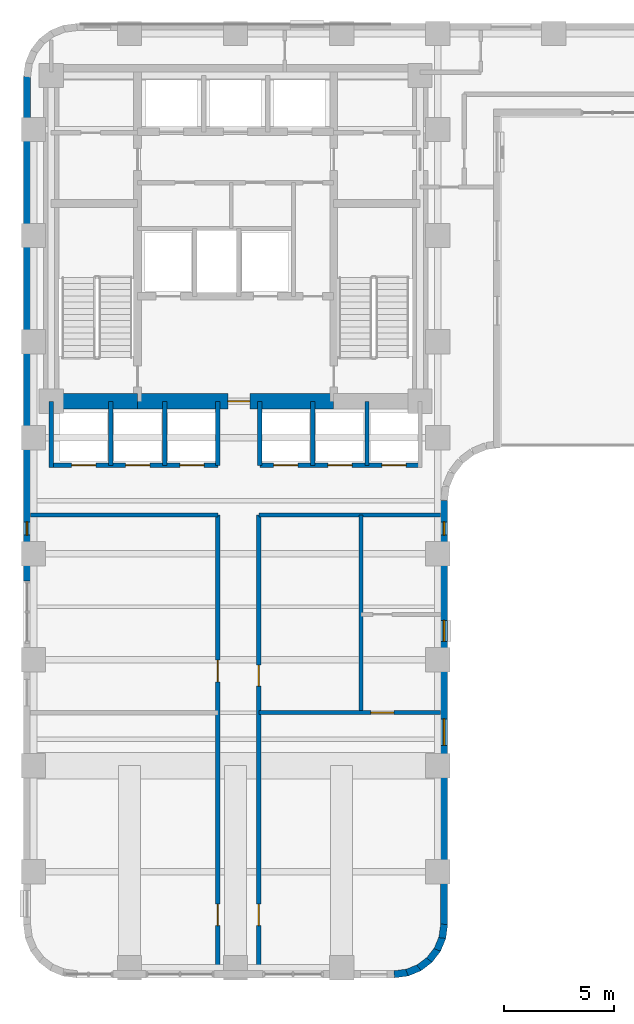
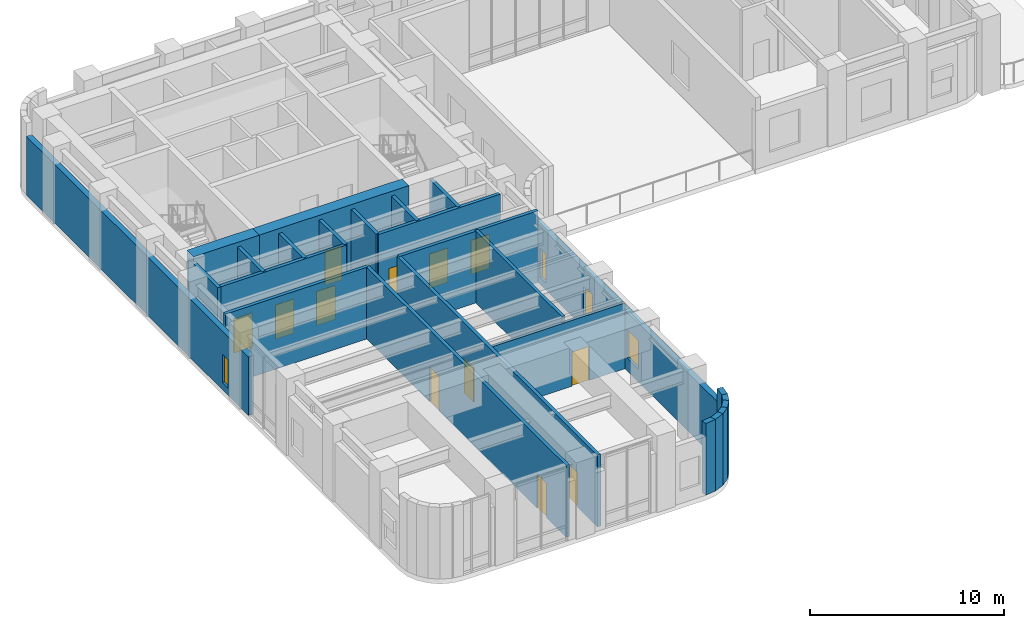
# One storey, part 6 of 12: 25 walls, 12 doors, 4 windows, 16 openings.
"""IFC4 building model written with IfcOpenShell, lengths in metres."""

from ifc_helpers import new_model, si_unit, direction, frame, frame_2d, origin, place, context, subcontext, project, spatial, rectangle, extrude, material, layer, layer_set, type_object, element, fill, save


model = new_model("IFC4")

# Units and contexts
model_context = context("Model", 3, precision=1e-05, world=origin(), true_north=direction((0.0, 1.0)))
body_context = subcontext(model_context, "Body", "Model", "MODEL_VIEW")
ifc_project = project(units=[si_unit("LENGTHUNIT", "METRE"), si_unit("AREAUNIT", "SQUARE_METRE"), si_unit("VOLUMEUNIT", "CUBIC_METRE"), si_unit("PLANEANGLEUNIT", "RADIAN"), si_unit("MASSUNIT", "GRAM", prefix="KILO")], contexts=[model_context])

# Site, building, storey
site_placement = place(None, origin())
site = spatial("IfcSite", under=ifc_project, at=site_placement, CompositionType="ELEMENT")
building_placement = place(site_placement, origin())
building = spatial("IfcBuilding", under=site, at=building_placement, Name="Orvandelia Arch Residences", CompositionType="ELEMENT")
storey_placement = place(building_placement, frame((0.0, 0.0, 97.0)))
storey = spatial("IfcBuildingStorey", under=building, at=storey_placement, Name="L25", CompositionType="ELEMENT", Elevation=97.0)

# Wall
ifc_material_1 = material(Name="Concrete C80/95", Category="concrete")
ifc_layer_1 = layer(ifc_material_1, 0.699951171875, Name="Concrete C80/95", Category="concrete")
ifc_layer_set_1 = layer_set([ifc_layer_1], Name="Concrete C80/95")
wall_type_1 = type_object("IfcWallType", Name="WL-CORE-700", PredefinedType="SHEAR", material=ifc_layer_set_1)
wall_1_placement = place(storey_placement, frame((6.050048828125, 30.89990234375, 0.0), z_axis=(0.0, 0.0, 1.0), x_axis=(1.0, 0.0, 0.0)))
element("IfcWall", 1, at=wall_1_placement, inside=storey, type_object=wall_type_1, Name="Core Shear Wall L25-SW", PredefinedType="SHEAR", context=body_context, shape_type="SweptSolid", body=[
    extrude(rectangle(XDim=3.909912109375, YDim=0.699951171875, at=frame_2d((1.955078125, 0.0))), origin(), (0.0, 0.0, 1.0), 4.800048828125),
])

# Wall, opening, door
wall_2_placement = place(storey_placement, frame((9.9599609375, 30.89990234375, 0.0), z_axis=(0.0, 0.0, 1.0), x_axis=(1.0, 0.0, 0.0)))
wall_2 = element("IfcWall", 2, at=wall_2_placement, inside=storey, type_object=wall_type_1, Name="Core Shear Wall L25-SM", PredefinedType="SHEAR", context=body_context, shape_type="SweptSolid", body=[
    extrude(rectangle(XDim=8.880126953125, YDim=0.699951171875, at=frame_2d((4.43994140625, 0.0))), origin(), (0.0, 0.0, 1.0), 4.800048828125),
])
opening_1_placement = place(wall_2_placement, frame((4.090087890625, 0.0, 0.0)))
opening_1 = element("IfcOpeningElement", 3, at=opening_1_placement, cuts=wall_2, Name="Opening D6", PredefinedType="OPENING", context=body_context, shape_type="SweptSolid", body=[
    extrude(rectangle(XDim=1.0, YDim=2.14990234375, at=frame_2d((0.5, 1.074951171875))), frame((0.0, 0.35986328125, 0.0), z_axis=(0.0, -1.0, 0.0), x_axis=(1.0, 0.0, 0.0)), (0.0, 0.0, 1.0), 0.719970703125),
])
ifc_material_2 = material(Name="Smokeproof Painted Steel Fire Door", Category="steel")
door_type_1 = type_object("IfcDoorType", Name="DR-FD60-1000", OperationType="NOTDEFINED", PredefinedType="DOOR", material=ifc_material_2)
door_1_placement = place(opening_1_placement, origin())
door_1 = element("IfcDoor", 4, at=door_1_placement, inside=storey, type_object=door_type_1, Name="Firefighting Lobby Smokeproof Door L25", OperationType="SINGLE_SWING_LEFT", OverallHeight=2.14990234375, OverallWidth=1.0, PredefinedType="DOOR", context=body_context, shape_type="SweptSolid", body=[
    extrude(rectangle(XDim=1.0, YDim=2.14990234375, at=frame_2d((0.5, 1.074951171875))), frame((0.0, 0.02490234375, 0.0), z_axis=(0.0, -1.0, 0.0), x_axis=(1.0, 0.0, 0.0)), (0.0, 0.0, 1.0), 0.050048828125),
])
fill(opening_1, door_1)

# Wall, openings, doors
ifc_material_3 = material(Name="Fire-Rated Corridor Partition")
ifc_layer_2 = layer(ifc_material_3, 0.199951171875, Name="Fire-Rated Corridor Partition")
ifc_layer_set_2 = layer_set([ifc_layer_2], Name="Fire-Rated Corridor Partition")
wall_type_2 = type_object("IfcWallType", Name="WL-CORR-200", PredefinedType="PARTITIONING", material=ifc_layer_set_2)
wall_3_placement = place(storey_placement, frame((13.60009765625, 5.1201171875, 0.0), z_axis=(0.0, 0.0, 1.0), x_axis=(0.0, 1.0, 0.0)))
wall_3 = element("IfcWall", 5, at=wall_3_placement, inside=storey, type_object=wall_type_2, Name="Interior Partition Wall WL-L25-SKW", PredefinedType="PARTITIONING", context=body_context, shape_type="SweptSolid", body=[
    extrude(rectangle(XDim=20.6298828125, YDim=0.199951171875, at=frame_2d((10.31494140625, 0.0))), origin(), (0.0, 0.0, 1.0), 4.5),
])
opening_2_placement = place(wall_3_placement, frame((13.080078125, 0.0, 0.0)))
opening_2 = element("IfcOpeningElement", 6, at=opening_2_placement, cuts=wall_3, Name="Opening D1", PredefinedType="OPENING", context=body_context, shape_type="SweptSolid", body=[
    extrude(rectangle(XDim=0.97998046875, YDim=2.179931640625, at=frame_2d((0.489990234375, 1.08984375))), frame((0.0, 0.10986328125, 0.0), z_axis=(0.0, -1.0, 0.0), x_axis=(1.0, 0.0, 0.0)), (0.0, 0.0, 1.0), 0.219970703125),
])
opening_3_placement = place(wall_3_placement, frame((2.0400390625, 0.0, 0.0)))
opening_3 = element("IfcOpeningElement", 7, at=opening_3_placement, cuts=wall_3, Name="Opening D1", PredefinedType="OPENING", context=body_context, shape_type="SweptSolid", body=[
    extrude(rectangle(XDim=0.97998046875, YDim=2.179931640625, at=frame_2d((0.489990234375, 1.08984375))), frame((0.0, 0.10986328125, 0.0), z_axis=(0.0, -1.0, 0.0), x_axis=(1.0, 0.0, 0.0)), (0.0, 0.0, 1.0), 0.219970703125),
])
ifc_material_4 = material(Name="Solid-Core Timber Acoustic Fire Door", Category="wood")
door_type_2 = type_object("IfcDoorType", Name="DR-ENT-980", OperationType="NOTDEFINED", PredefinedType="DOOR", material=ifc_material_4)
door_2_placement = place(opening_2_placement, origin())
door_2 = element("IfcDoor", 8, at=door_2_placement, inside=storey, type_object=door_type_2, Name="DR-L25-SKR", OperationType="SINGLE_SWING_LEFT", OverallHeight=2.179931640625, OverallWidth=0.97998046875, PredefinedType="DOOR", context=body_context, shape_type="SweptSolid", body=[
    extrude(rectangle(XDim=0.97998046875, YDim=2.179931640625, at=frame_2d((0.489990234375, 1.08984375))), frame((0.0, 0.02490234375, 0.0), z_axis=(0.0, -1.0, 0.0), x_axis=(1.0, 0.0, 0.0)), (0.0, 0.0, 1.0), 0.050048828125),
])
fill(opening_2, door_2)
door_3_placement = place(opening_3_placement, origin())
door_3 = element("IfcDoor", 9, at=door_3_placement, inside=storey, type_object=door_type_2, Name="DR-L25-SKO", OperationType="SINGLE_SWING_RIGHT", OverallHeight=2.179931640625, OverallWidth=0.97998046875, PredefinedType="DOOR", context=body_context, shape_type="SweptSolid", body=[
    extrude(rectangle(XDim=0.97998046875, YDim=2.179931640625, at=frame_2d((0.489990234375, 1.08984375))), frame((0.0, 0.02490234375, 0.0), z_axis=(0.0, -1.0, 0.0), x_axis=(1.0, 0.0, 0.0)), (0.0, 0.0, 1.0), 0.050048828125),
])
fill(opening_3, door_3)

wall_4_placement = place(storey_placement, frame((15.449951171875, 5.1201171875, 0.0), z_axis=(0.0, 0.0, 1.0), x_axis=(0.0, 1.0, 0.0)))
wall_4 = element("IfcWall", 10, at=wall_4_placement, inside=storey, type_object=wall_type_2, Name="Interior Partition Wall WL-L25-SKE", PredefinedType="PARTITIONING", context=body_context, shape_type="SweptSolid", body=[
    extrude(rectangle(XDim=20.6298828125, YDim=0.199951171875, at=frame_2d((10.31494140625, 0.0))), origin(), (0.0, 0.0, 1.0), 4.5),
])
opening_4_placement = place(wall_4_placement, frame((2.0400390625, 0.0, 0.0)))
opening_4 = element("IfcOpeningElement", 11, at=opening_4_placement, cuts=wall_4, Name="Opening D1", PredefinedType="OPENING", context=body_context, shape_type="SweptSolid", body=[
    extrude(rectangle(XDim=0.97998046875, YDim=2.179931640625, at=frame_2d((0.489990234375, 1.08984375))), frame((0.0, 0.10986328125, 0.0), z_axis=(0.0, -1.0, 0.0), x_axis=(1.0, 0.0, 0.0)), (0.0, 0.0, 1.0), 0.219970703125),
])
opening_5_placement = place(wall_4_placement, frame((12.8798828125, 0.0, 0.0)))
opening_5 = element("IfcOpeningElement", 12, at=opening_5_placement, cuts=wall_4, Name="Opening D2", PredefinedType="OPENING", context=body_context, shape_type="SweptSolid", body=[
    extrude(rectangle(XDim=0.949951171875, YDim=2.14990234375, at=frame_2d((0.47509765625, 1.074951171875))), frame((0.0, 0.10986328125, 0.0), z_axis=(0.0, -1.0, 0.0), x_axis=(1.0, 0.0, 0.0)), (0.0, 0.0, 1.0), 0.219970703125),
])
ifc_material_5 = material(Name="Solid-Core Timber Interior Fire Door", Category="wood")
door_type_3 = type_object("IfcDoorType", Name="DR-APT-950", OperationType="NOTDEFINED", PredefinedType="DOOR", material=ifc_material_5)
door_4_placement = place(opening_5_placement, origin())
door_4 = element("IfcDoor", 13, at=door_4_placement, inside=storey, type_object=door_type_3, Name="DR-L25-SKK", OperationType="SINGLE_SWING_RIGHT", OverallHeight=2.14990234375, OverallWidth=0.949951171875, PredefinedType="DOOR", context=body_context, shape_type="SweptSolid", body=[
    extrude(rectangle(XDim=0.949951171875, YDim=2.14990234375, at=frame_2d((0.47509765625, 1.074951171875))), frame((0.0, 0.02490234375, 0.0), z_axis=(0.0, -1.0, 0.0), x_axis=(1.0, 0.0, 0.0)), (0.0, 0.0, 1.0), 0.050048828125),
])
fill(opening_5, door_4)
door_5_placement = place(opening_4_placement, origin())
door_5 = element("IfcDoor", 14, at=door_5_placement, inside=storey, type_object=door_type_2, Name="DR-L25-SKD", OperationType="SINGLE_SWING_LEFT", OverallHeight=2.179931640625, OverallWidth=0.97998046875, PredefinedType="DOOR", context=body_context, shape_type="SweptSolid", body=[
    extrude(rectangle(XDim=0.97998046875, YDim=2.179931640625, at=frame_2d((0.489990234375, 1.08984375))), frame((0.0, 0.02490234375, 0.0), z_axis=(0.0, -1.0, 0.0), x_axis=(1.0, 0.0, 0.0)), (0.0, 0.0, 1.0), 0.050048828125),
])
fill(opening_4, door_5)

# Walls
wall_5_placement = place(storey_placement, frame((5.1201171875, 25.75, 0.0), z_axis=(0.0, 0.0, 1.0), x_axis=(1.0, 0.0, 0.0)))
element("IfcWall", 15, at=wall_5_placement, inside=storey, type_object=wall_type_2, Name="Interior Partition Wall WL-L25-SKCLS-W", PredefinedType="PARTITIONING", context=body_context, shape_type="SweptSolid", body=[
    extrude(rectangle(XDim=8.47998046875, YDim=0.199951171875, at=frame_2d((4.239990234375, 0.0))), origin(), (0.0, 0.0, 1.0), 4.5),
])
wall_6_placement = place(storey_placement, frame((15.449951171875, 25.75, 0.0), z_axis=(0.0, 0.0, 1.0), x_axis=(1.0, 0.0, 0.0)))
element("IfcWall", 16, at=wall_6_placement, inside=storey, type_object=wall_type_2, Name="Interior Partition Wall WL-L25-SKCLS-E", PredefinedType="PARTITIONING", context=body_context, shape_type="SweptSolid", body=[
    extrude(rectangle(XDim=8.22998046875, YDim=0.199951171875, at=frame_2d((4.114990234375, 0.0))), origin(), (0.0, 0.0, 1.0), 4.5),
])

# Wall, openings, windows
ifc_material_6 = material(Name="Precast concrete C40/50", Category="concrete")
ifc_layer_3 = layer(ifc_material_6, 0.320068359375, Name="Precast concrete C40/50", Category="concrete")
ifc_layer_set_3 = layer_set([ifc_layer_3], Name="Precast concrete C40/50")
wall_type_3 = type_object("IfcWallType", Name="WL-EXT-STONE-320", PredefinedType="STANDARD", material=ifc_layer_set_3)
wall_7_placement = place(storey_placement, frame((23.840087890625, 26.39990234375, 0.0), z_axis=(0.0, 0.0, 1.0), x_axis=(0.0, -1.0, 0.0)))
wall_7 = element("IfcWall", 17, at=wall_7_placement, inside=storey, type_object=wall_type_3, Name="Coral-Limestone Precast Facade Wall L25-032", PredefinedType="STANDARD", context=body_context, shape_type="SweptSolid", body=[
    extrude(rectangle(XDim=19.199951171875, YDim=0.320068359375, at=frame_2d((9.60009765625, 0.0))), origin(), (0.0, 0.0, 1.0), 3.679931640625),
])
opening_6_placement = place(wall_7_placement, frame((9.8798828125, 0.0, 0.800048828125)))
opening_6 = element("IfcOpeningElement", 18, at=opening_6_placement, cuts=wall_7, Name="Opening W3", PredefinedType="OPENING", context=body_context, shape_type="SweptSolid", body=[
    extrude(rectangle(XDim=1.199951171875, YDim=1.800048828125, at=frame_2d((0.60009765625, 0.89990234375))), frame((0.0, 0.169921875, 0.0), z_axis=(0.0, -1.0, 0.0), x_axis=(1.0, 0.0, 0.0)), (0.0, 0.0, 1.0), 0.340087890625),
])
opening_7_placement = place(wall_7_placement, frame((5.4150390625, 0.0, 0.800048828125)))
opening_7 = element("IfcOpeningElement", 19, at=opening_7_placement, cuts=wall_7, Name="Opening W4", PredefinedType="OPENING", context=body_context, shape_type="SweptSolid", body=[
    extrude(rectangle(XDim=0.949951171875, YDim=1.800048828125, at=frame_2d((0.47509765625, 0.89990234375))), frame((0.0, 0.169921875, 0.0), z_axis=(0.0, -1.0, 0.0), x_axis=(1.0, 0.0, 0.0)), (0.0, 0.0, 1.0), 0.340087890625),
])
opening_8_placement = place(wall_7_placement, frame((0.965087890625, 0.0, 0.449951171875)))
opening_8 = element("IfcOpeningElement", 20, at=opening_8_placement, cuts=wall_7, Name="Opening W12", PredefinedType="OPENING", context=body_context, shape_type="SweptSolid", body=[
    extrude(rectangle(XDim=0.60009765625, YDim=1.800048828125, at=frame_2d((0.300048828125, 0.89990234375))), frame((0.0, 0.169921875, 0.0), z_axis=(0.0, -1.0, 0.0), x_axis=(1.0, 0.0, 0.0)), (0.0, 0.0, 1.0), 0.340087890625),
])
ifc_material_7 = material(Name="Tempered Low-E Insulated Glazing", Category="glass")
window_type_1 = type_object("IfcWindowType", Name="WIN-LAN-0600x1800", PartitioningType="SINGLE_PANEL", PredefinedType="WINDOW", material=ifc_material_7)
window_1_placement = place(opening_8_placement, origin())
window_1 = element("IfcWindow", 21, at=window_1_placement, inside=storey, type_object=window_type_1, Name="Recessed Punched Window L25-013", OverallHeight=1.800048828125, OverallWidth=0.60009765625, PartitioningType="SINGLE_PANEL", PredefinedType="WINDOW", context=body_context, shape_type="SweptSolid", body=[
    extrude(rectangle(XDim=0.60009765625, YDim=1.800048828125, at=frame_2d((0.300048828125, 0.89990234375))), frame((0.0, 0.030029296875, 0.0), z_axis=(0.0, -1.0, 0.0), x_axis=(1.0, 0.0, 0.0)), (0.0, 0.0, 1.0), 0.06005859375),
])
fill(opening_8, window_1)
window_type_2 = type_object("IfcWindowType", Name="WIN-RES-0950x1800", PartitioningType="SINGLE_PANEL", PredefinedType="WINDOW", material=ifc_material_7)
window_2_placement = place(opening_7_placement, origin())
window_2 = element("IfcWindow", 22, at=window_2_placement, inside=storey, type_object=window_type_2, Name="Recessed Punched Window L25-012", OverallHeight=1.800048828125, OverallWidth=0.949951171875, PartitioningType="SINGLE_PANEL", PredefinedType="WINDOW", context=body_context, shape_type="SweptSolid", body=[
    extrude(rectangle(XDim=0.949951171875, YDim=1.800048828125, at=frame_2d((0.47509765625, 0.89990234375))), frame((0.0, 0.030029296875, 0.0), z_axis=(0.0, -1.0, 0.0), x_axis=(1.0, 0.0, 0.0)), (0.0, 0.0, 1.0), 0.06005859375),
])
fill(opening_7, window_2)
window_type_3 = type_object("IfcWindowType", Name="WIN-RES-1200x1800", PartitioningType="SINGLE_PANEL", PredefinedType="WINDOW", material=ifc_material_7)
window_3_placement = place(opening_6_placement, origin())
window_3 = element("IfcWindow", 23, at=window_3_placement, inside=storey, type_object=window_type_3, Name="Recessed Punched Window L25-011", OverallHeight=1.800048828125, OverallWidth=1.199951171875, PartitioningType="SINGLE_PANEL", PredefinedType="WINDOW", context=body_context, shape_type="SweptSolid", body=[
    extrude(rectangle(XDim=1.199951171875, YDim=1.800048828125, at=frame_2d((0.60009765625, 0.89990234375))), frame((0.0, 0.030029296875, 0.0), z_axis=(0.0, -1.0, 0.0), x_axis=(1.0, 0.0, 0.0)), (0.0, 0.0, 1.0), 0.06005859375),
])
fill(opening_6, window_3)

# Walls
wall_8_placement = place(storey_placement, frame((23.84130859375, 7.220947265625, 0.0), z_axis=(0.0, 0.0, 1.0), x_axis=(-0.130504898859, -0.991447664465, 0.0)))
element("IfcWall", 24, at=wall_8_placement, inside=storey, type_object=wall_type_3, Name="Coral-Limestone Precast Facade Wall L25-033", PredefinedType="STANDARD", context=body_context, shape_type="SweptSolid", body=[
    extrude(rectangle(XDim=0.626708984375, YDim=0.320068359375, at=frame_2d((0.3134765625, 0.0))), origin(), (0.0, 0.0, 1.0), 4.5),
])
wall_9_placement = place(storey_placement, frame((23.7705078125, 6.639892578125, 0.0), z_axis=(0.0, 0.0, 1.0), x_axis=(-0.382787856107, -0.923836271867, 0.0)))
element("IfcWall", 25, at=wall_9_placement, inside=storey, type_object=wall_type_3, Name="Coral-Limestone Precast Facade Wall L25-034", PredefinedType="STANDARD", context=body_context, shape_type="SweptSolid", body=[
    extrude(rectangle(XDim=0.626220703125, YDim=0.320068359375, at=frame_2d((0.31298828125, 0.0))), origin(), (0.0, 0.0, 1.0), 4.5),
])
wall_10_placement = place(storey_placement, frame((23.551513671875, 6.097412109375, 0.0), z_axis=(0.0, 0.0, 1.0), x_axis=(-0.608693302629, -0.793405610854, 0.0)))
element("IfcWall", 26, at=wall_10_placement, inside=storey, type_object=wall_type_3, Name="Coral-Limestone Precast Facade Wall L25-035", PredefinedType="STANDARD", context=body_context, shape_type="SweptSolid", body=[
    extrude(rectangle(XDim=0.62646484375, YDim=0.320068359375, at=frame_2d((0.313232421875, 0.0))), origin(), (0.0, 0.0, 1.0), 4.5),
])
wall_11_placement = place(storey_placement, frame((23.19970703125, 5.6298828125, 0.0), z_axis=(0.0, 0.0, 1.0), x_axis=(-0.7932174212, -0.608938521285, 0.0)))
element("IfcWall", 27, at=wall_11_placement, inside=storey, type_object=wall_type_3, Name="Coral-Limestone Precast Facade Wall L25-036", PredefinedType="STANDARD", context=body_context, shape_type="SweptSolid", body=[
    extrude(rectangle(XDim=0.626708984375, YDim=0.320068359375, at=frame_2d((0.3134765625, 0.0))), origin(), (0.0, 0.0, 1.0), 4.5),
])
for number, where, z_axis, x_axis, name in (
    (28, (22.73876953125, 5.269287109375, 0.0), (0.0, 0.0, 1.0), (-0.92389335771, -0.382650053678, 0.0), "Coral-Limestone Precast Facade Wall L25-037"),
    (29, (22.2001953125, 5.040283203125, 0.0), (0.0, 0.0, 1.0), (-0.9914410257, -0.130555323746, 0.0), "Coral-Limestone Precast Facade Wall L25-038"),
):
    element("IfcWall", number, at=place(storey_placement, frame(where, z_axis=z_axis, x_axis=x_axis)), inside=storey, type_object=wall_type_3, Name=name, PredefinedType="STANDARD", context=body_context, shape_type="SweptSolid", body=[
        extrude(rectangle(XDim=0.62646484375, YDim=0.320068359375, at=frame_2d((0.313232421875, 0.0))), origin(), (0.0, 0.0, 1.0), 4.5),
    ])

# Wall, opening, window
wall_12_placement = place(storey_placement, frame((4.9599609375, 22.760009765625, 0.0), z_axis=(0.0, 0.0, 1.0), x_axis=(0.0, 1.0, 0.0)))
wall_12 = element("IfcWall", 30, at=wall_12_placement, inside=storey, type_object=wall_type_3, Name="Coral-Limestone Precast Facade Wall L25-049", PredefinedType="STANDARD", context=body_context, shape_type="SweptSolid", body=[
    extrude(rectangle(XDim=22.840087890625, YDim=0.320068359375, at=frame_2d((11.419921875, 0.0))), origin(), (0.0, 0.0, 1.0), 3.679931640625),
])
opening_9_placement = place(wall_12_placement, frame((2.074951171875, 0.0, 0.449951171875)))
opening_9 = element("IfcOpeningElement", 31, at=opening_9_placement, cuts=wall_12, Name="Opening W12", PredefinedType="OPENING", context=body_context, shape_type="SweptSolid", body=[
    extrude(rectangle(XDim=0.60009765625, YDim=1.800048828125, at=frame_2d((0.300048828125, 0.89990234375))), frame((0.0, 0.169921875, 0.0), z_axis=(0.0, -1.0, 0.0), x_axis=(1.0, 0.0, 0.0)), (0.0, 0.0, 1.0), 0.340087890625),
])
window_4_placement = place(opening_9_placement, origin())
window_4 = element("IfcWindow", 32, at=window_4_placement, inside=storey, type_object=window_type_1, Name="Recessed Punched Window L25-017", OverallHeight=1.800048828125, OverallWidth=0.60009765625, PartitioningType="SINGLE_PANEL", PredefinedType="WINDOW", context=body_context, shape_type="SweptSolid", body=[
    extrude(rectangle(XDim=0.60009765625, YDim=1.800048828125, at=frame_2d((0.300048828125, 0.89990234375))), frame((0.0, 0.030029296875, 0.0), z_axis=(0.0, -1.0, 0.0), x_axis=(1.0, 0.0, 0.0)), (0.0, 0.0, 1.0), 0.06005859375),
])
fill(opening_9, window_4)

# Wall, openings, doors
ifc_material_8 = material(Name="Fire-Rated Shaft Enclosure Wall")
ifc_layer_4 = layer(ifc_material_8, 0.199951171875, Name="Fire-Rated Shaft Enclosure Wall")
ifc_layer_set_4 = layer_set([ifc_layer_4], Name="Fire-Rated Shaft Enclosure Wall")
wall_type_4 = type_object("IfcWallType", Name="WL-SHAFT-200", PredefinedType="POLYGONAL", material=ifc_layer_set_4)
wall_13_placement = place(storey_placement, frame((6.050048828125, 28.0, 0.0), z_axis=(0.0, 0.0, 1.0), x_axis=(1.0, 0.0, 0.0)))
wall_13 = element("IfcWall", 33, at=wall_13_placement, inside=storey, type_object=wall_type_4, Name="Interior Partition Wall WL-L25-BNKL-S", PredefinedType="POLYGONAL", context=body_context, shape_type="SweptSolid", body=[
    extrude(rectangle(XDim=7.550048828125, YDim=0.199951171875, at=frame_2d((3.77490234375, 0.0))), origin(), (0.0, 0.0, 1.0), 4.5),
])
opening_10_placement = place(wall_13_placement, frame((0.925048828125, 0.0, 0.0)))
opening_10 = element("IfcOpeningElement", 34, at=opening_10_placement, cuts=wall_13, Name="Opening LD", PredefinedType="OPENING", context=body_context, shape_type="SweptSolid", body=[
    extrude(rectangle(XDim=1.10009765625, YDim=2.14990234375, at=frame_2d((0.550048828125, 1.074951171875))), frame((0.0, 0.10986328125, 0.0), z_axis=(0.0, -1.0, 0.0), x_axis=(1.0, 0.0, 0.0)), (0.0, 0.0, 1.0), 0.219970703125),
])
opening_11_placement = place(wall_13_placement, frame((3.375, 0.0, 0.0)))
opening_11 = element("IfcOpeningElement", 35, at=opening_11_placement, cuts=wall_13, Name="Opening LD", PredefinedType="OPENING", context=body_context, shape_type="SweptSolid", body=[
    extrude(rectangle(XDim=1.10009765625, YDim=2.14990234375, at=frame_2d((0.550048828125, 1.074951171875))), frame((0.0, 0.10986328125, 0.0), z_axis=(0.0, -1.0, 0.0), x_axis=(1.0, 0.0, 0.0)), (0.0, 0.0, 1.0), 0.219970703125),
])
opening_12_placement = place(wall_13_placement, frame((5.824951171875, 0.0, 0.0)))
opening_12 = element("IfcOpeningElement", 36, at=opening_12_placement, cuts=wall_13, Name="Opening LD", PredefinedType="OPENING", context=body_context, shape_type="SweptSolid", body=[
    extrude(rectangle(XDim=1.10009765625, YDim=2.14990234375, at=frame_2d((0.550048828125, 1.074951171875))), frame((0.0, 0.10986328125, 0.0), z_axis=(0.0, -1.0, 0.0), x_axis=(1.0, 0.0, 0.0)), (0.0, 0.0, 1.0), 0.219970703125),
])
ifc_material_9 = material(Name="Brushed Stainless Steel Sliding Lift Door", Category="steel")
door_type_4 = type_object("IfcDoorType", Name="DR-LIFT-1100", OperationType="NOTDEFINED", PredefinedType="DOOR", material=ifc_material_9)
door_6_placement = place(opening_10_placement, origin())
door_6 = element("IfcDoor", 37, at=door_6_placement, inside=storey, type_object=door_type_4, Name="Lift Landing Door LD-PL1", OperationType="SLIDING_TO_LEFT", OverallHeight=2.14990234375, OverallWidth=1.10009765625, PredefinedType="DOOR", context=body_context, shape_type="SweptSolid", body=[
    extrude(rectangle(XDim=1.10009765625, YDim=2.14990234375, at=frame_2d((0.550048828125, 1.074951171875))), frame((0.0, 0.02490234375, 0.0), z_axis=(0.0, -1.0, 0.0), x_axis=(1.0, 0.0, 0.0)), (0.0, 0.0, 1.0), 0.050048828125),
])
fill(opening_10, door_6)
door_7_placement = place(opening_11_placement, origin())
door_7 = element("IfcDoor", 38, at=door_7_placement, inside=storey, type_object=door_type_4, Name="Lift Landing Door LD-PL2", OperationType="SLIDING_TO_RIGHT", OverallHeight=2.14990234375, OverallWidth=1.10009765625, PredefinedType="DOOR", context=body_context, shape_type="SweptSolid", body=[
    extrude(rectangle(XDim=1.10009765625, YDim=2.14990234375, at=frame_2d((0.550048828125, 1.074951171875))), frame((0.0, 0.02490234375, 0.0), z_axis=(0.0, -1.0, 0.0), x_axis=(1.0, 0.0, 0.0)), (0.0, 0.0, 1.0), 0.050048828125),
])
fill(opening_11, door_7)
door_8_placement = place(opening_12_placement, origin())
door_8 = element("IfcDoor", 39, at=door_8_placement, inside=storey, type_object=door_type_4, Name="Lift Landing Door LD-PL3", OperationType="SLIDING_TO_LEFT", OverallHeight=2.14990234375, OverallWidth=1.10009765625, PredefinedType="DOOR", context=body_context, shape_type="SweptSolid", body=[
    extrude(rectangle(XDim=1.10009765625, YDim=2.14990234375, at=frame_2d((0.550048828125, 1.074951171875))), frame((0.0, 0.02490234375, 0.0), z_axis=(0.0, -1.0, 0.0), x_axis=(1.0, 0.0, 0.0)), (0.0, 0.0, 1.0), 0.050048828125),
])
fill(opening_12, door_8)

wall_14_placement = place(storey_placement, frame((15.5, 28.0, 0.0), z_axis=(0.0, 0.0, 1.0), x_axis=(1.0, 0.0, 0.0)))
wall_14 = element("IfcWall", 40, at=wall_14_placement, inside=storey, type_object=wall_type_4, Name="Interior Partition Wall WL-L25-BNKM-S", PredefinedType="POLYGONAL", context=body_context, shape_type="SweptSolid", body=[
    extrude(rectangle(XDim=7.25, YDim=0.199951171875, at=frame_2d((3.625, 0.0))), origin(), (0.0, 0.0, 1.0), 4.5),
])
opening_13_placement = place(wall_14_placement, frame((0.625, 0.0, 0.0)))
opening_13 = element("IfcOpeningElement", 41, at=opening_13_placement, cuts=wall_14, Name="Opening LD", PredefinedType="OPENING", context=body_context, shape_type="SweptSolid", body=[
    extrude(rectangle(XDim=1.10009765625, YDim=2.14990234375, at=frame_2d((0.550048828125, 1.074951171875))), frame((0.0, 0.10986328125, 0.0), z_axis=(0.0, -1.0, 0.0), x_axis=(1.0, 0.0, 0.0)), (0.0, 0.0, 1.0), 0.219970703125),
])
opening_14_placement = place(wall_14_placement, frame((3.074951171875, 0.0, 0.0)))
opening_14 = element("IfcOpeningElement", 42, at=opening_14_placement, cuts=wall_14, Name="Opening LD", PredefinedType="OPENING", context=body_context, shape_type="SweptSolid", body=[
    extrude(rectangle(XDim=1.10009765625, YDim=2.14990234375, at=frame_2d((0.550048828125, 1.074951171875))), frame((0.0, 0.10986328125, 0.0), z_axis=(0.0, -1.0, 0.0), x_axis=(1.0, 0.0, 0.0)), (0.0, 0.0, 1.0), 0.219970703125),
])
opening_15_placement = place(wall_14_placement, frame((5.52490234375, 0.0, 0.0)))
opening_15 = element("IfcOpeningElement", 43, at=opening_15_placement, cuts=wall_14, Name="Opening LD", PredefinedType="OPENING", context=body_context, shape_type="SweptSolid", body=[
    extrude(rectangle(XDim=1.10009765625, YDim=2.14990234375, at=frame_2d((0.550048828125, 1.074951171875))), frame((0.0, 0.10986328125, 0.0), z_axis=(0.0, -1.0, 0.0), x_axis=(1.0, 0.0, 0.0)), (0.0, 0.0, 1.0), 0.219970703125),
])
door_9_placement = place(opening_13_placement, origin())
door_9 = element("IfcDoor", 44, at=door_9_placement, inside=storey, type_object=door_type_4, Name="Lift Landing Door LD-PM1", OperationType="SLIDING_TO_RIGHT", OverallHeight=2.14990234375, OverallWidth=1.10009765625, PredefinedType="DOOR", context=body_context, shape_type="SweptSolid", body=[
    extrude(rectangle(XDim=1.10009765625, YDim=2.14990234375, at=frame_2d((0.550048828125, 1.074951171875))), frame((0.0, 0.02490234375, 0.0), z_axis=(0.0, -1.0, 0.0), x_axis=(1.0, 0.0, 0.0)), (0.0, 0.0, 1.0), 0.050048828125),
])
fill(opening_13, door_9)
door_10_placement = place(opening_14_placement, origin())
door_10 = element("IfcDoor", 45, at=door_10_placement, inside=storey, type_object=door_type_4, Name="Lift Landing Door LD-PM2", OperationType="SLIDING_TO_LEFT", OverallHeight=2.14990234375, OverallWidth=1.10009765625, PredefinedType="DOOR", context=body_context, shape_type="SweptSolid", body=[
    extrude(rectangle(XDim=1.10009765625, YDim=2.14990234375, at=frame_2d((0.550048828125, 1.074951171875))), frame((0.0, 0.02490234375, 0.0), z_axis=(0.0, -1.0, 0.0), x_axis=(1.0, 0.0, 0.0)), (0.0, 0.0, 1.0), 0.050048828125),
])
fill(opening_14, door_10)
door_11_placement = place(opening_15_placement, origin())
door_11 = element("IfcDoor", 46, at=door_11_placement, inside=storey, type_object=door_type_4, Name="Lift Landing Door LD-PM3", OperationType="SLIDING_TO_RIGHT", OverallHeight=2.14990234375, OverallWidth=1.10009765625, PredefinedType="DOOR", context=body_context, shape_type="SweptSolid", body=[
    extrude(rectangle(XDim=1.10009765625, YDim=2.14990234375, at=frame_2d((0.550048828125, 1.074951171875))), frame((0.0, 0.02490234375, 0.0), z_axis=(0.0, -1.0, 0.0), x_axis=(1.0, 0.0, 0.0)), (0.0, 0.0, 1.0), 0.050048828125),
])
fill(opening_15, door_11)

# Walls
wall_15_placement = place(storey_placement, frame((6.050048828125, 27.89990234375, 0.0), z_axis=(0.0, 0.0, 1.0), x_axis=(0.0, 1.0, 0.0)))
element("IfcWall", 47, at=wall_15_placement, inside=storey, type_object=wall_type_4, Name="Interior Partition Wall WL-L25-BNKL-W", PredefinedType="POLYGONAL", context=body_context, shape_type="SweptSolid", body=[
    extrude(rectangle(XDim=3.0, YDim=0.199951171875, at=frame_2d((1.5, 0.0))), origin(), (0.0, 0.0, 1.0), 4.5),
])
for number, where, z_axis, x_axis, name in (
    (48, (13.60009765625, 28.0, 0.0), (0.0, 0.0, 1.0), (0.0, 1.0, 0.0), "Interior Partition Wall WL-L25-BNKL-E"),
    (49, (15.5, 28.0, 0.0), (0.0, 0.0, 1.0), (0.0, 1.0, 0.0), "Interior Partition Wall WL-L25-BNKM-W"),
    (50, (8.75, 28.0, 0.0), (0.0, 0.0, 1.0), (0.0, 1.0, 0.0), "Interior Partition Wall WL-L25-BNKD-875"),
    (51, (11.199951171875, 28.0, 0.0), (0.0, 0.0, 1.0), (0.0, 1.0, 0.0), "Interior Partition Wall WL-L25-BNKD-1120"),
    (52, (17.89990234375, 28.0, 0.0), (0.0, 0.0, 1.0), (0.0, 1.0, 0.0), "Interior Partition Wall WL-L25-BNKD-1789"),
    (53, (20.35009765625, 28.0, 0.0), (0.0, 0.0, 1.0), (0.0, 1.0, 0.0), "Interior Partition Wall WL-L25-BNKD-2035"),
):
    element("IfcWall", number, at=place(storey_placement, frame(where, z_axis=z_axis, x_axis=x_axis)), inside=storey, type_object=wall_type_4, Name=name, PredefinedType="POLYGONAL", context=body_context, shape_type="SweptSolid", body=[
        extrude(rectangle(XDim=2.89990234375, YDim=0.199951171875, at=frame_2d((1.449951171875, 0.0))), origin(), (0.0, 0.0, 1.0), 4.5),
    ])

# Wall, opening, door
ifc_material_10 = material(Name="Moisture-Resistant Plumbing Wall")
ifc_layer_5 = layer(ifc_material_10, 0.179931640625, Name="Moisture-Resistant Plumbing Wall")
ifc_layer_set_5 = layer_set([ifc_layer_5], Name="Moisture-Resistant Plumbing Wall")
wall_type_5 = type_object("IfcWallType", Name="WL-WET-180", PredefinedType="PLUMBINGWALL", material=ifc_layer_set_5)
wall_16_placement = place(storey_placement, frame((15.449951171875, 16.800048828125, 0.0), z_axis=(0.0, 0.0, 1.0), x_axis=(1.0, 0.0, 0.0)))
wall_16 = element("IfcWall", 54, at=wall_16_placement, inside=storey, type_object=wall_type_5, Name="Interior Partition Wall WL-L25-SKD2", PredefinedType="PLUMBINGWALL", context=body_context, shape_type="SweptSolid", body=[
    extrude(rectangle(XDim=8.22998046875, YDim=0.179931640625, at=frame_2d((4.114990234375, 0.0))), origin(), (0.0, 0.0, 1.0), 4.1298828125),
])
opening_16_placement = place(wall_16_placement, frame((5.070068359375, 0.0, 0.0)))
opening_16 = element("IfcOpeningElement", 55, at=opening_16_placement, cuts=wall_16, Name="Opening D8", PredefinedType="OPENING", context=body_context, shape_type="SweptSolid", body=[
    extrude(rectangle(XDim=1.0400390625, YDim=2.14990234375, at=frame_2d((0.52001953125, 1.074951171875))), frame((0.0, 0.10009765625, 0.0), z_axis=(0.0, -1.0, 0.0), x_axis=(1.0, 0.0, 0.0)), (0.0, 0.0, 1.0), 0.199951171875),
])
ifc_material_11 = material(Name="Accessible Wide-Leaf Washroom Door")
door_type_5 = type_object("IfcDoorType", Name="DR-ACC-1040", OperationType="NOTDEFINED", PredefinedType="DOOR", material=ifc_material_11)
door_12_placement = place(opening_16_placement, origin())
door_12 = element("IfcDoor", 56, at=door_12_placement, inside=storey, type_object=door_type_5, Name="DR-L25-SKWC", OperationType="SINGLE_SWING_LEFT", OverallHeight=2.14990234375, OverallWidth=1.0400390625, PredefinedType="DOOR", context=body_context, shape_type="SweptSolid", body=[
    extrude(rectangle(XDim=1.0400390625, YDim=2.14990234375, at=frame_2d((0.52001953125, 1.074951171875))), frame((0.0, 0.02490234375, 0.0), z_axis=(0.0, -1.0, 0.0), x_axis=(1.0, 0.0, 0.0)), (0.0, 0.0, 1.0), 0.050048828125),
])
fill(opening_16, door_12)

# Wall
wall_17_placement = place(storey_placement, frame((20.070068359375, 16.800048828125, 0.0), z_axis=(0.0, 0.0, 1.0), x_axis=(0.0, 1.0, 0.0)))
element("IfcWall", 57, at=wall_17_placement, inside=storey, type_object=wall_type_5, Name="Interior Partition Wall WL-L25-SKD3", PredefinedType="PLUMBINGWALL", context=body_context, shape_type="SweptSolid", body=[
    extrude(rectangle(XDim=8.949951171875, YDim=0.179931640625, at=frame_2d((4.47509765625, 0.0))), origin(), (0.0, 0.0, 1.0), 4.5),
])

save(model, "model.ifc")
